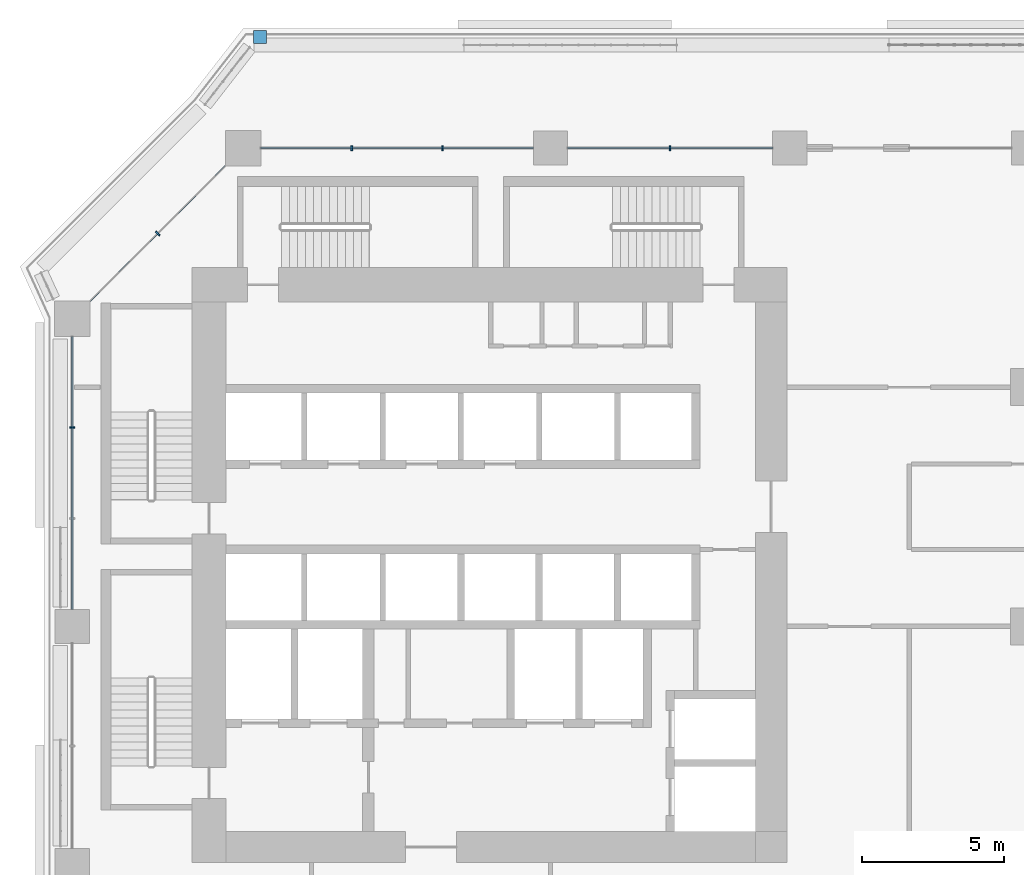
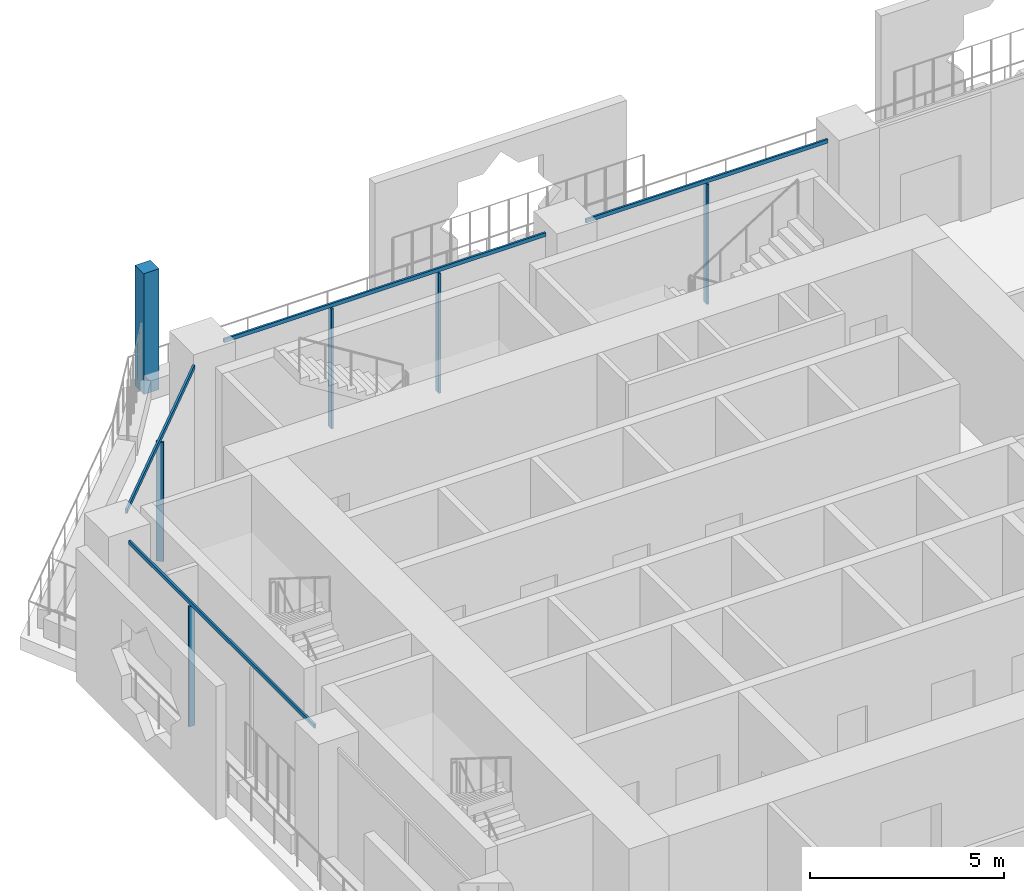
# One storey, part 8 of 27: 10 members, 4 elements without a shape of their own.
"""IFC4 building model written with IfcOpenShell, lengths in metres."""

from ifc_helpers import new_model, si_unit, direction, frame, origin, origin_2d, place, context, subcontext, project, spatial, rectangle, extrude, material, layer, layer_set, material_profile, profile_set, type_object, element, aggregate, save


model = new_model("IFC4")

# Units and contexts
model_context = context("Model", 3, precision=1e-05, world=origin(), true_north=direction((0.0, 1.0)))
body_context = subcontext(model_context, "Body", "Model", "MODEL_VIEW")
ifc_project = project(units=[si_unit("LENGTHUNIT", "METRE"), si_unit("AREAUNIT", "SQUARE_METRE"), si_unit("VOLUMEUNIT", "CUBIC_METRE"), si_unit("PLANEANGLEUNIT", "RADIAN"), si_unit("MASSUNIT", "GRAM", prefix="KILO")], contexts=[model_context])

# Site, building, storey
site_placement = place(None, origin())
site = spatial("IfcSite", under=ifc_project, at=site_placement, CompositionType="ELEMENT")
building_placement = place(site_placement, origin())
building = spatial("IfcBuilding", under=site, at=building_placement, Name="Kawkab Arch Medical Tower", CompositionType="ELEMENT")
storey_placement = place(building_placement, frame((0.0, 0.0, 85.39990234375)))
storey = spatial("IfcBuildingStorey", under=building, at=storey_placement, Name="L19", CompositionType="ELEMENT", Elevation=85.39990234375)

# Curtain wall, member
ifc_material_1 = material(Name="Bronze anodised aluminium curtain wall frame", Category="aluminium")
ifc_layer_1 = layer(ifc_material_1, 0.159912109375)
ifc_layer_set_1 = layer_set([ifc_layer_1], Name="Bronze anodised aluminium curtain wall frame")
curtain_wall_type_1 = type_object("IfcCurtainWallType", Name="CW1 ward curtain wall", PredefinedType="NOTDEFINED", material=ifc_layer_set_1)
placement = place(storey_placement, origin())
curtain_wall_1 = element("IfcCurtainWall", 1, at=placement, inside=storey, type_object=curtain_wall_type_1, Name="CW1 Ward curtain wall R01", PredefinedType="NOTDEFINED")
ifc_material_2 = material(Name="Bronze anodised aluminium curtain wall frame", Category="aluminium")
ifc_material_profile_1 = material_profile(ifc_material_2, rectangle(XDim=0.179931640625, YDim=0.06005859375, at=origin_2d()), Name="AL 60x180")
ifc_profile_set_1 = profile_set([ifc_material_profile_1], Name="Bronze anodised aluminium curtain wall frame")
member_type_1 = type_object("IfcMemberType", Name="CW1 mullion 60 x 180", PredefinedType="MULLION", material=ifc_profile_set_1)
member_1_placement = place(storey_placement, frame((0.0, -9.816650390625, 0.0), z_axis=(0.0, 0.0, 1.0), x_axis=(1.0, 0.0, 0.0)))
member_1 = element("IfcMember", 2, at=member_1_placement, type_object=member_type_1, Name="CW1 mullion 1.1", PredefinedType="MULLION", context=body_context, shape_type="SweptSolid", body=[
    extrude(rectangle(XDim=0.179931640625, YDim=0.06005859375, at=origin_2d()), origin(), (0.0, 0.0, 1.0), 3.780029296875),
])

# Curtain wall, members
curtain_wall_2 = element("IfcCurtainWall", 3, at=placement, inside=storey, type_object=curtain_wall_type_1, Name="CW1 Ward curtain wall R11", PredefinedType="NOTDEFINED")
member_2_placement = place(storey_placement, frame((21.0, 0.0, 0.0), z_axis=(0.0, 0.0, 1.0), x_axis=(0.0, -1.0, 0.0)))
member_2 = element("IfcMember", 4, at=member_2_placement, type_object=member_type_1, Name="CW1 mullion 7.1", PredefinedType="MULLION", context=body_context, shape_type="SweptSolid", body=[
    extrude(rectangle(XDim=0.179931640625, YDim=0.06005859375, at=origin_2d()), origin(), (0.0, 0.0, 1.0), 3.780029296875),
])
member_3_placement = place(storey_placement, frame((13.00830078125, 0.0, 0.0), z_axis=(0.0, 0.0, 1.0), x_axis=(0.0, -1.0, 0.0)))
member_3 = element("IfcMember", 5, at=member_3_placement, type_object=member_type_1, Name="CW1 mullion 8.1", PredefinedType="MULLION", context=body_context, shape_type="SweptSolid", body=[
    extrude(rectangle(XDim=0.179931640625, YDim=0.06005859375, at=origin_2d()), origin(), (0.0, 0.0, 1.0), 3.780029296875),
])
member_4_placement = place(storey_placement, frame((9.816650390625, 0.0, 0.0), z_axis=(0.0, 0.0, 1.0), x_axis=(0.0, -1.0, 0.0)))
member_4 = element("IfcMember", 6, at=member_4_placement, type_object=member_type_1, Name="CW1 mullion 8.2", PredefinedType="MULLION", context=body_context, shape_type="SweptSolid", body=[
    extrude(rectangle(XDim=0.179931640625, YDim=0.06005859375, at=origin_2d()), origin(), (0.0, 0.0, 1.0), 3.780029296875),
])

# Member
ifc_material_3 = material(Name="Bronze anodised aluminium curtain wall frame", Category="aluminium")
ifc_material_profile_2 = material_profile(ifc_material_3, rectangle(XDim=0.06005859375, YDim=0.1201171875, at=origin_2d()), Name="AL 60x120")
ifc_profile_set_2 = profile_set([ifc_material_profile_2], Name="Bronze anodised aluminium curtain wall frame")
member_type_2 = type_object("IfcMemberType", Name="CW1 transom 120 x 60", PredefinedType="USERDEFINED", material=ifc_profile_set_2)
member_5_placement = place(storey_placement, frame((0.0, -6.625, 3.840087890625), z_axis=(0.0, -1.0, 0.0), x_axis=(1.0, 0.0, 0.0)))
member_5 = element("IfcMember", 7, at=member_5_placement, type_object=member_type_2, Name="CW1 transom 1", ObjectType="TRANSOM", PredefinedType="USERDEFINED", context=body_context, shape_type="SweptSolid", body=[
    extrude(rectangle(XDim=0.06005859375, YDim=0.1201171875, at=origin_2d()), origin(), (0.0, 0.0, 1.0), 9.574951171875),
])

aggregate(curtain_wall_1, [member_5, member_1])

member_6_placement = place(storey_placement, frame((24.60009765625, 0.0, 3.840087890625), z_axis=(-1.0, 0.0, 0.0), x_axis=(0.0, -1.0, 0.0)))
member_6 = element("IfcMember", 8, at=member_6_placement, type_object=member_type_2, Name="CW1 transom 7", ObjectType="TRANSOM", PredefinedType="USERDEFINED", context=body_context, shape_type="SweptSolid", body=[
    extrude(rectangle(XDim=0.06005859375, YDim=0.1201171875, at=origin_2d()), origin(), (0.0, 0.0, 1.0), 7.2001953125),
])

member_7_placement = place(storey_placement, frame((16.199951171875, 0.0, 3.840087890625), z_axis=(-1.0, 0.0, 0.0), x_axis=(0.0, -1.0, 0.0)))
member_7 = element("IfcMember", 9, at=member_7_placement, type_object=member_type_2, Name="CW1 transom 8", ObjectType="TRANSOM", PredefinedType="USERDEFINED", context=body_context, shape_type="SweptSolid", body=[
    extrude(rectangle(XDim=0.06005859375, YDim=0.1201171875, at=origin_2d()), origin(), (0.0, 0.0, 1.0), 9.574951171875),
])

aggregate(curtain_wall_2, [member_6, member_2, member_7, member_3, member_4])

# Curtain wall, members
ifc_material_4 = material(Name="Bronze anodised aluminium curtain wall frame", Category="aluminium")
ifc_layer_2 = layer(ifc_material_4, 0.159912109375)
ifc_layer_set_2 = layer_set([ifc_layer_2], Name="Bronze anodised aluminium curtain wall frame")
curtain_wall_type_2 = type_object("IfcCurtainWallType", Name="CW2 chamfer curtain wall", PredefinedType="NOTDEFINED", material=ifc_layer_set_2)
curtain_wall_3 = element("IfcCurtainWall", 10, at=placement, inside=storey, type_object=curtain_wall_type_2, Name="CW2 Chamfer curtain wall R12", PredefinedType="NOTDEFINED")
ifc_material_5 = material(Name="Bronze anodised aluminium curtain wall frame", Category="aluminium")
ifc_material_profile_3 = material_profile(ifc_material_5, rectangle(XDim=0.199951171875, YDim=0.06005859375, at=origin_2d()), Name="AL 60x200")
ifc_profile_set_3 = profile_set([ifc_material_profile_3], Name="Bronze anodised aluminium curtain wall frame")
member_type_3 = type_object("IfcMemberType", Name="CW2 mullion 60 x 200", PredefinedType="MULLION", material=ifc_profile_set_3)
member_8_placement = place(storey_placement, frame((3.0, -3.0, 0.0), z_axis=(0.0, 0.0, 1.0), x_axis=(0.707106781187, -0.707106781187, 0.0)))
member_8 = element("IfcMember", 11, at=member_8_placement, type_object=member_type_3, Name="CW2 mullion 1.1", PredefinedType="MULLION", context=body_context, shape_type="SweptSolid", body=[
    extrude(rectangle(XDim=0.199951171875, YDim=0.06005859375, at=origin_2d()), origin(), (0.0, 0.0, 1.0), 3.760009765625),
])
ifc_material_6 = material(Name="Bronze anodised aluminium curtain wall frame", Category="aluminium")
ifc_material_profile_4 = material_profile(ifc_material_6, rectangle(XDim=0.06005859375, YDim=0.139892578125, at=origin_2d()), Name="AL 60x140")
ifc_profile_set_4 = profile_set([ifc_material_profile_4], Name="Bronze anodised aluminium curtain wall frame")
member_type_4 = type_object("IfcMemberType", Name="CW2 transom 140 x 60", PredefinedType="USERDEFINED", material=ifc_profile_set_4)
member_9_placement = place(storey_placement, frame((5.375, -0.625, 3.830078125), z_axis=(-0.707106781187, -0.707106781187, 0.0), x_axis=(0.707106781187, -0.707106781187, 0.0)))
member_9 = element("IfcMember", 12, at=member_9_placement, type_object=member_type_4, Name="CW2 transom 1", ObjectType="TRANSOM", PredefinedType="USERDEFINED", context=body_context, shape_type="SweptSolid", body=[
    extrude(rectangle(XDim=0.06005859375, YDim=0.139892578125, at=origin_2d()), origin(), (0.0, 0.0, 1.0), 6.717529296875),
])
aggregate(curtain_wall_3, [member_9, member_8])

# Curtain wall, member
ifc_material_7 = material(Name="Bronze anodised aluminium climber frame, planted", Category="aluminium")
ifc_layer_3 = layer(ifc_material_7, 0.449951171875)
ifc_layer_set_3 = layer_set([ifc_layer_3], Name="Bronze anodised aluminium climber frame, planted")
curtain_wall_type_3 = type_object("IfcCurtainWallType", Name="Planted climber frame", PredefinedType="NOTDEFINED", material=ifc_layer_set_3)
curtain_wall_4 = element("IfcCurtainWall", 13, at=placement, inside=storey, type_object=curtain_wall_type_3, Name="Planted climber frame L19", PredefinedType="NOTDEFINED")
ifc_material_8 = material(Name="Bronze anodised aluminium climber frame, planted", Category="aluminium")
ifc_material_profile_5 = material_profile(ifc_material_8, rectangle(XDim=0.449951171875, YDim=0.449951171875, at=origin_2d()), Name="Post 450x450")
ifc_profile_set_5 = profile_set([ifc_material_profile_5], Name="Bronze anodised aluminium climber frame, planted")
member_type_5 = type_object("IfcMemberType", Name="Planted climber post 450 x 450", PredefinedType="MULLION", material=ifc_profile_set_5)
member_10_placement = place(storey_placement, frame((6.596923828125, 3.89990234375, 0.0), z_axis=(0.0, 0.0, 1.0), x_axis=(1.0, 0.0, 0.0)))
member_10 = element("IfcMember", 14, at=member_10_placement, type_object=member_type_5, Name="Planted climber post L19.LOG-01-01.3", PredefinedType="MULLION", context=body_context, shape_type="SweptSolid", body=[
    extrude(rectangle(XDim=0.449951171875, YDim=0.449951171875, at=origin_2d()), origin(), (0.0, 0.0, 1.0), 3.800048828125),
])
aggregate(curtain_wall_4, [member_10])

save(model, "model.ifc")
